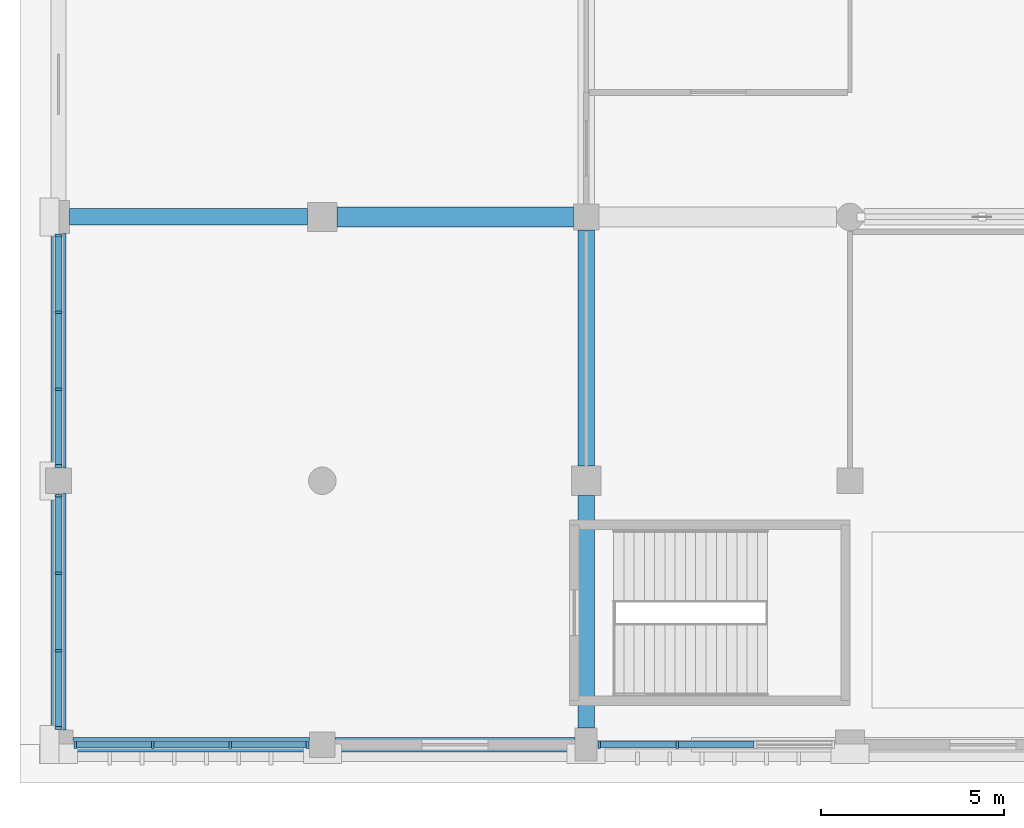
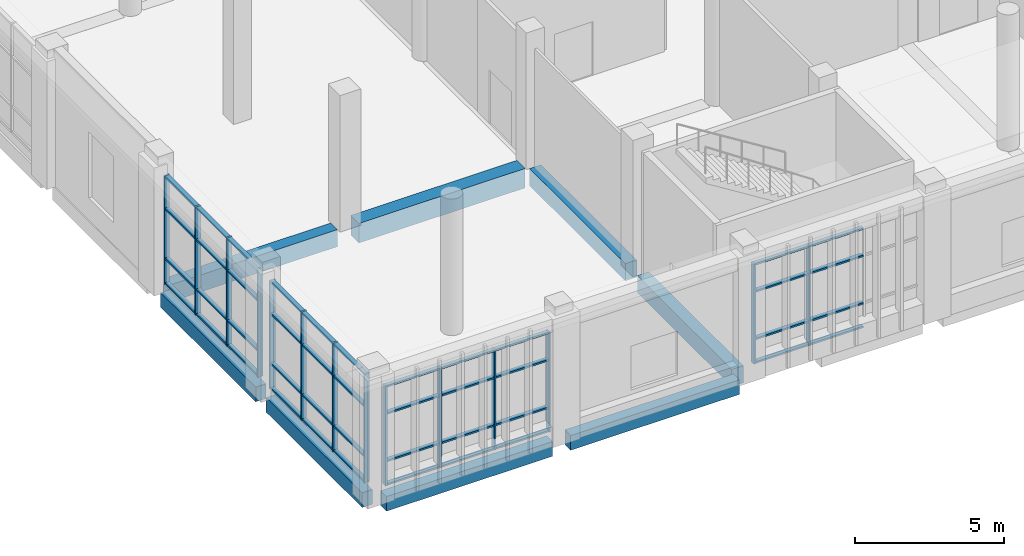
# One storey, part 8 of 80: 58 members, 8 beams, 4 elements without a shape of their own.
"""IFC4 building model written with IfcOpenShell, lengths in metres."""

from ifc_helpers import new_model, si_unit, direction, frame, origin, origin_2d, place, context, subcontext, project, spatial, rectangle, extrude, material, material_profile, profile_set, type_object, element, aggregate, save


model = new_model("IFC4")

# Units and contexts
model_context = context("Model", 3, precision=1e-05, world=origin(), true_north=direction((0.0, 1.0)))
body_context = subcontext(model_context, "Body", "Model", "MODEL_VIEW")
ifc_project = project(units=[si_unit("LENGTHUNIT", "METRE"), si_unit("AREAUNIT", "SQUARE_METRE"), si_unit("VOLUMEUNIT", "CUBIC_METRE"), si_unit("PLANEANGLEUNIT", "RADIAN"), si_unit("MASSUNIT", "GRAM", prefix="KILO")], contexts=[model_context])

# Site, building, storey
site_placement = place(None, origin())
site = spatial("IfcSite", under=ifc_project, at=site_placement, CompositionType="ELEMENT")
building_placement = place(site_placement, origin())
building = spatial("IfcBuilding", under=site, at=building_placement, Name="Sardonyx Promenade Sports Hall", CompositionType="ELEMENT")
storey_placement = place(building_placement, frame((0.0, 0.0, 5.60009765625)))
storey = spatial("IfcBuildingStorey", under=building, at=storey_placement, Name="L01", CompositionType="ELEMENT", Elevation=5.60009765625)

# Beams
ifc_material_1 = material(Name="Concrete C40/50", Category="concrete")
ifc_material_profile_1 = material_profile(ifc_material_1, rectangle(XDim=0.550048828125, YDim=0.800048828125, at=origin_2d()))
ifc_profile_set_1 = profile_set([ifc_material_profile_1], Name="Concrete C40/50")
beam_type_1 = type_object("IfcBeamType", Name="Bm_Girder_RC800", PredefinedType="BEAM", material=ifc_profile_set_1)
beam_1_placement = place(storey_placement, frame((7.60009765625, 14.39990234375, -0.400146484375), z_axis=(1.0, 0.0, 0.0), x_axis=(0.0, 1.0, 0.0)))
element("IfcBeam", 1, at=beam_1_placement, inside=storey, type_object=beam_type_1, Name="Beam BG04 L01 #186", PredefinedType="BEAM", context=body_context, shape_type="SweptSolid", body=[
    extrude(rectangle(XDim=0.550048828125, YDim=0.800048828125, at=origin_2d()), origin(), (0.0, 0.0, 1.0), 6.449951171875),
])
ifc_material_2 = material(Name="Concrete C40/50", Category="concrete")
ifc_material_profile_2 = material_profile(ifc_material_2, rectangle(XDim=0.449951171875, YDim=0.699951171875, at=origin_2d()))
ifc_profile_set_2 = profile_set([ifc_material_profile_2], Name="Concrete C40/50")
beam_type_2 = type_object("IfcBeamType", Name="Bm_Primary_RC700", PredefinedType="BEAM", material=ifc_profile_set_2)
beam_2_placement = place(storey_placement, frame((0.300048828125, 14.39990234375, -0.35009765625), z_axis=(1.0, 0.0, 0.0), x_axis=(0.0, 1.0, 0.0)))
element("IfcBeam", 2, at=beam_2_placement, inside=storey, type_object=beam_type_2, Name="Beam BG01 L01 #185", PredefinedType="BEAM", context=body_context, shape_type="SweptSolid", body=[
    extrude(rectangle(XDim=0.449951171875, YDim=0.699951171875, at=origin_2d()), origin(), (0.0, 0.0, 1.0), 6.5),
])
beam_3_placement = place(storey_placement, frame((14.39990234375, 0.449951171875, -0.35009765625), z_axis=(0.0, 1.0, 0.0), x_axis=(-1.0, 0.0, 0.0)))
element("IfcBeam", 3, at=beam_3_placement, inside=storey, type_object=beam_type_2, Name="Beam BG01 L01 #298", PredefinedType="BEAM", context=body_context, shape_type="SweptSolid", body=[
    extrude(rectangle(XDim=0.449951171875, YDim=0.699951171875, at=origin_2d()), origin(), (0.0, 0.0, 1.0), 6.35009765625),
])
beam_4_placement = place(storey_placement, frame((14.39990234375, 7.60009765625, -0.35009765625), z_axis=(0.0, 1.0, 0.0), x_axis=(-1.0, 0.0, 0.0)))
element("IfcBeam", 4, at=beam_4_placement, inside=storey, type_object=beam_type_2, Name="Beam BG01 L01 #299", PredefinedType="BEAM", context=body_context, shape_type="SweptSolid", body=[
    extrude(rectangle(XDim=0.449951171875, YDim=0.699951171875, at=origin_2d()), origin(), (0.0, 0.0, 1.0), 6.449951171875),
])
ifc_material_3 = material(Name="Concrete C40/50", Category="concrete")
ifc_material_profile_3 = material_profile(ifc_material_3, rectangle(XDim=0.39990234375, YDim=0.60009765625, at=origin_2d()))
ifc_profile_set_3 = profile_set([ifc_material_profile_3], Name="Concrete C40/50")
beam_type_3 = type_object("IfcBeamType", Name="Bm_Spandrel_RC600", PredefinedType="SPANDREL", material=ifc_profile_set_3)
beam_5_placement = place(storey_placement, frame((0.39990234375, 0.0, -0.300048828125), z_axis=(1.0, 0.0, 0.0), x_axis=(0.0, 1.0, 0.0)))
element("IfcBeam", 5, at=beam_5_placement, inside=storey, type_object=beam_type_3, Name="Beam SPB1 L01 #162", PredefinedType="SPANDREL", context=body_context, shape_type="SweptSolid", body=[
    extrude(rectangle(XDim=0.39990234375, YDim=0.60009765625, at=origin_2d()), origin(), (0.0, 0.0, 1.0), 6.4501953125),
])
beam_6_placement = place(storey_placement, frame((7.550048828125, 0.0, -0.300048828125), z_axis=(1.0, 0.0, 0.0), x_axis=(0.0, 1.0, 0.0)))
element("IfcBeam", 6, at=beam_6_placement, inside=storey, type_object=beam_type_3, Name="Beam SPB1 L01 #163", PredefinedType="SPANDREL", context=body_context, shape_type="SweptSolid", body=[
    extrude(rectangle(XDim=0.39990234375, YDim=0.60009765625, at=origin_2d()), origin(), (0.0, 0.0, 1.0), 6.550048828125),
])
beam_7_placement = place(storey_placement, frame((0.0, 0.39990234375, -0.300048828125), z_axis=(0.0, 1.0, 0.0), x_axis=(-1.0, 0.0, 0.0)))
element("IfcBeam", 7, at=beam_7_placement, inside=storey, type_object=beam_type_3, Name="Beam SPB1 L01 #291", PredefinedType="SPANDREL", context=body_context, shape_type="SweptSolid", body=[
    extrude(rectangle(XDim=0.39990234375, YDim=0.60009765625, at=origin_2d()), origin(), (0.0, 0.0, 1.0), 6.4501953125),
])
beam_8_placement = place(storey_placement, frame((0.0, 7.550048828125, -0.300048828125), z_axis=(0.0, 1.0, 0.0), x_axis=(-1.0, 0.0, 0.0)))
element("IfcBeam", 8, at=beam_8_placement, inside=storey, type_object=beam_type_3, Name="Beam SPB1 L01 #292", PredefinedType="SPANDREL", context=body_context, shape_type="SweptSolid", body=[
    extrude(rectangle(XDim=0.39990234375, YDim=0.60009765625, at=origin_2d()), origin(), (0.0, 0.0, 1.0), 6.39990234375),
])

# Curtain wall, members
ifc_material_4 = material(Name="Aluminium 6063-T6", Category="aluminium")
curtain_wall_type_1 = type_object("IfcCurtainWallType", Name="CW_South_L01_640", PredefinedType="USERDEFINED", material=ifc_material_4)
curtain_wall_1_placement = place(storey_placement, origin())
curtain_wall_1 = element("IfcCurtainWall", 9, at=curtain_wall_1_placement, inside=storey, type_object=curtain_wall_type_1, Name="Curtain wall CW08 cw:L01:027", ObjectType="CURTAIN WALL", PredefinedType="USERDEFINED")
ifc_material_5 = material(Name="Aluminium 6063-T6", Category="aluminium")
ifc_material_profile_4 = material_profile(ifc_material_5, rectangle(XDim=0.070068359375, YDim=0.199951171875, at=origin_2d()))
ifc_profile_set_4 = profile_set([ifc_material_profile_4], Name="Aluminium 6063-T6")
member_type_1 = type_object("IfcMemberType", Name="CW_Mull_200", PredefinedType="MULLION", material=ifc_profile_set_4)
member_1_placement = place(storey_placement, frame((16.885009765625, 0.0, 0.349853515625), z_axis=(0.0, 0.0, 1.0), x_axis=(-1.0, 0.0, 0.0)))
member_1 = element("IfcMember", 10, at=member_1_placement, type_object=member_type_1, Name="Mullion CM03 cw:L01:027 #3", PredefinedType="MULLION", context=body_context, shape_type="SweptSolid", body=[
    extrude(rectangle(XDim=0.070068359375, YDim=0.199951171875, at=origin_2d()), origin(), (0.0, 0.0, 1.0), 4.10009765625),
])
member_2_placement = place(storey_placement, frame((14.7548828125, 0.0, 0.349853515625), z_axis=(0.0, 0.0, 1.0), x_axis=(-1.0, 0.0, 0.0)))
member_2 = element("IfcMember", 11, at=member_2_placement, type_object=member_type_1, Name="Mullion CM03 cw:L01:027 #4", PredefinedType="MULLION", context=body_context, shape_type="SweptSolid", body=[
    extrude(rectangle(XDim=0.070068359375, YDim=0.199951171875, at=origin_2d()), origin(), (0.0, 0.0, 1.0), 4.10009765625),
])

curtain_wall_2_placement = place(storey_placement, origin())
curtain_wall_2 = element("IfcCurtainWall", 12, at=curtain_wall_2_placement, inside=storey, type_object=curtain_wall_type_1, Name="Curtain wall CW08 cw:L01:028", ObjectType="CURTAIN WALL", PredefinedType="USERDEFINED")
member_3_placement = place(storey_placement, frame((6.794921875, 0.0, 0.349853515625), z_axis=(0.0, 0.0, 1.0), x_axis=(-1.0, 0.0, 0.0)))
member_3 = element("IfcMember", 13, at=member_3_placement, type_object=member_type_1, Name="Mullion CM03 cw:L01:028 #1", PredefinedType="MULLION", context=body_context, shape_type="SweptSolid", body=[
    extrude(rectangle(XDim=0.070068359375, YDim=0.199951171875, at=origin_2d()), origin(), (0.0, 0.0, 1.0), 4.10009765625),
])
member_4_placement = place(storey_placement, frame((4.681640625, 0.0, 0.349853515625), z_axis=(0.0, 0.0, 1.0), x_axis=(-1.0, 0.0, 0.0)))
member_4 = element("IfcMember", 14, at=member_4_placement, type_object=member_type_1, Name="Mullion CM03 cw:L01:028 #2", PredefinedType="MULLION", context=body_context, shape_type="SweptSolid", body=[
    extrude(rectangle(XDim=0.070068359375, YDim=0.199951171875, at=origin_2d()), origin(), (0.0, 0.0, 1.0), 4.10009765625),
])
member_5_placement = place(storey_placement, frame((2.568359375, 0.0, 0.349853515625), z_axis=(0.0, 0.0, 1.0), x_axis=(-1.0, 0.0, 0.0)))
member_5 = element("IfcMember", 15, at=member_5_placement, type_object=member_type_1, Name="Mullion CM03 cw:L01:028 #3", PredefinedType="MULLION", context=body_context, shape_type="SweptSolid", body=[
    extrude(rectangle(XDim=0.070068359375, YDim=0.199951171875, at=origin_2d()), origin(), (0.0, 0.0, 1.0), 4.10009765625),
])
member_6_placement = place(storey_placement, frame((0.455078125, 0.0, 0.349853515625), z_axis=(0.0, 0.0, 1.0), x_axis=(-1.0, 0.0, 0.0)))
member_6 = element("IfcMember", 16, at=member_6_placement, type_object=member_type_1, Name="Mullion CM03 cw:L01:028 #4", PredefinedType="MULLION", context=body_context, shape_type="SweptSolid", body=[
    extrude(rectangle(XDim=0.070068359375, YDim=0.199951171875, at=origin_2d()), origin(), (0.0, 0.0, 1.0), 4.10009765625),
])

ifc_material_6 = material(Name="Aluminium 6063-T6", Category="aluminium")
curtain_wall_type_2 = type_object("IfcCurtainWallType", Name="CW_Climb_North_L01", PredefinedType="USERDEFINED", material=ifc_material_6)
curtain_wall_3_placement = place(storey_placement, origin())
curtain_wall_3 = element("IfcCurtainWall", 17, at=curtain_wall_3_placement, inside=storey, type_object=curtain_wall_type_2, Name="Curtain wall CW19 cw:L01:063", ObjectType="CURTAIN WALL", PredefinedType="USERDEFINED")
member_7_placement = place(storey_placement, frame((0.0, 0.455078125, 0.349853515625), z_axis=(0.0, 0.0, 1.0), x_axis=(0.0, 1.0, 0.0)))
member_7 = element("IfcMember", 18, at=member_7_placement, type_object=member_type_1, Name="Mullion CM03 cw:L01:063 #1", PredefinedType="MULLION", context=body_context, shape_type="SweptSolid", body=[
    extrude(rectangle(XDim=0.070068359375, YDim=0.199951171875, at=origin_2d()), origin(), (0.0, 0.0, 1.0), 4.449951171875),
])
member_8_placement = place(storey_placement, frame((0.0, 2.568359375, 0.349853515625), z_axis=(0.0, 0.0, 1.0), x_axis=(0.0, 1.0, 0.0)))
member_8 = element("IfcMember", 19, at=member_8_placement, type_object=member_type_1, Name="Mullion CM03 cw:L01:063 #2", PredefinedType="MULLION", context=body_context, shape_type="SweptSolid", body=[
    extrude(rectangle(XDim=0.070068359375, YDim=0.199951171875, at=origin_2d()), origin(), (0.0, 0.0, 1.0), 4.449951171875),
])
member_9_placement = place(storey_placement, frame((0.0, 4.681640625, 0.349853515625), z_axis=(0.0, 0.0, 1.0), x_axis=(0.0, 1.0, 0.0)))
member_9 = element("IfcMember", 20, at=member_9_placement, type_object=member_type_1, Name="Mullion CM03 cw:L01:063 #3", PredefinedType="MULLION", context=body_context, shape_type="SweptSolid", body=[
    extrude(rectangle(XDim=0.070068359375, YDim=0.199951171875, at=origin_2d()), origin(), (0.0, 0.0, 1.0), 4.449951171875),
])
member_10_placement = place(storey_placement, frame((0.0, 6.794921875, 0.349853515625), z_axis=(0.0, 0.0, 1.0), x_axis=(0.0, 1.0, 0.0)))
member_10 = element("IfcMember", 21, at=member_10_placement, type_object=member_type_1, Name="Mullion CM03 cw:L01:063 #4", PredefinedType="MULLION", context=body_context, shape_type="SweptSolid", body=[
    extrude(rectangle(XDim=0.070068359375, YDim=0.199951171875, at=origin_2d()), origin(), (0.0, 0.0, 1.0), 4.449951171875),
])

curtain_wall_4_placement = place(storey_placement, origin())
curtain_wall_4 = element("IfcCurtainWall", 22, at=curtain_wall_4_placement, inside=storey, type_object=curtain_wall_type_2, Name="Curtain wall CW19 cw:L01:064", ObjectType="CURTAIN WALL", PredefinedType="USERDEFINED")
member_11_placement = place(storey_placement, frame((0.0, 7.60498046875, 0.349853515625), z_axis=(0.0, 0.0, 1.0), x_axis=(0.0, 1.0, 0.0)))
member_11 = element("IfcMember", 23, at=member_11_placement, type_object=member_type_1, Name="Mullion CM03 cw:L01:064 #1", PredefinedType="MULLION", context=body_context, shape_type="SweptSolid", body=[
    extrude(rectangle(XDim=0.070068359375, YDim=0.199951171875, at=origin_2d()), origin(), (0.0, 0.0, 1.0), 4.449951171875),
])
member_12_placement = place(storey_placement, frame((0.0, 9.70166015625, 0.349853515625), z_axis=(0.0, 0.0, 1.0), x_axis=(0.0, 1.0, 0.0)))
member_12 = element("IfcMember", 24, at=member_12_placement, type_object=member_type_1, Name="Mullion CM03 cw:L01:064 #2", PredefinedType="MULLION", context=body_context, shape_type="SweptSolid", body=[
    extrude(rectangle(XDim=0.070068359375, YDim=0.199951171875, at=origin_2d()), origin(), (0.0, 0.0, 1.0), 4.449951171875),
])
member_13_placement = place(storey_placement, frame((0.0, 11.79833984375, 0.349853515625), z_axis=(0.0, 0.0, 1.0), x_axis=(0.0, 1.0, 0.0)))
member_13 = element("IfcMember", 25, at=member_13_placement, type_object=member_type_1, Name="Mullion CM03 cw:L01:064 #3", PredefinedType="MULLION", context=body_context, shape_type="SweptSolid", body=[
    extrude(rectangle(XDim=0.070068359375, YDim=0.199951171875, at=origin_2d()), origin(), (0.0, 0.0, 1.0), 4.449951171875),
])
member_14_placement = place(storey_placement, frame((0.0, 13.89501953125, 0.349853515625), z_axis=(0.0, 0.0, 1.0), x_axis=(0.0, 1.0, 0.0)))
member_14 = element("IfcMember", 26, at=member_14_placement, type_object=member_type_1, Name="Mullion CM03 cw:L01:064 #4", PredefinedType="MULLION", context=body_context, shape_type="SweptSolid", body=[
    extrude(rectangle(XDim=0.070068359375, YDim=0.199951171875, at=origin_2d()), origin(), (0.0, 0.0, 1.0), 4.449951171875),
])

# Member
ifc_material_7 = material(Name="Aluminium 6063-T6", Category="aluminium")
ifc_material_profile_5 = material_profile(ifc_material_7, rectangle(XDim=0.070068359375, YDim=0.159912109375, at=origin_2d()))
ifc_profile_set_5 = profile_set([ifc_material_profile_5], Name="Aluminium 6063-T6")
member_type_2 = type_object("IfcMemberType", Name="CW_Tran_160", PredefinedType="USERDEFINED", material=ifc_profile_set_5)
member_15_placement = place(storey_placement, frame((18.97998046875, 0.0, 0.385009765625), z_axis=(-1.0, 0.0, 0.0), x_axis=(0.0, 0.0, 1.0)))
member_15 = element("IfcMember", 27, at=member_15_placement, type_object=member_type_2, Name="Transom CT03 cw:L01:027 #5", ObjectType="TRANSOM", PredefinedType="USERDEFINED", context=body_context, shape_type="SweptSolid", body=[
    extrude(rectangle(XDim=0.070068359375, YDim=0.159912109375, at=origin_2d()), origin(), (0.0, 0.0, 1.0), 2.06005859375),
])

member_16_placement = place(storey_placement, frame((18.97998046875, 0.0, 1.349853515625), z_axis=(-1.0, 0.0, 0.0), x_axis=(0.0, 0.0, 1.0)))
member_16 = element("IfcMember", 28, at=member_16_placement, type_object=member_type_2, Name="Transom CT03 cw:L01:027 #6", ObjectType="TRANSOM", PredefinedType="USERDEFINED", context=body_context, shape_type="SweptSolid", body=[
    extrude(rectangle(XDim=0.070068359375, YDim=0.159912109375, at=origin_2d()), origin(), (0.0, 0.0, 1.0), 2.06005859375),
])

member_17_placement = place(storey_placement, frame((18.97998046875, 0.0, 3.2998046875), z_axis=(-1.0, 0.0, 0.0), x_axis=(0.0, 0.0, 1.0)))
member_17 = element("IfcMember", 29, at=member_17_placement, type_object=member_type_2, Name="Transom CT03 cw:L01:027 #7", ObjectType="TRANSOM", PredefinedType="USERDEFINED", context=body_context, shape_type="SweptSolid", body=[
    extrude(rectangle(XDim=0.070068359375, YDim=0.159912109375, at=origin_2d()), origin(), (0.0, 0.0, 1.0), 2.06005859375),
])

member_18_placement = place(storey_placement, frame((18.97998046875, 0.0, 4.414794921875), z_axis=(-1.0, 0.0, 0.0), x_axis=(0.0, 0.0, 1.0)))
member_18 = element("IfcMember", 30, at=member_18_placement, type_object=member_type_2, Name="Transom CT03 cw:L01:027 #8", ObjectType="TRANSOM", PredefinedType="USERDEFINED", context=body_context, shape_type="SweptSolid", body=[
    extrude(rectangle(XDim=0.070068359375, YDim=0.159912109375, at=origin_2d()), origin(), (0.0, 0.0, 1.0), 2.06005859375),
])

member_19_placement = place(storey_placement, frame((16.85009765625, 0.0, 0.385009765625), z_axis=(-1.0, 0.0, 0.0), x_axis=(0.0, 0.0, 1.0)))
member_19 = element("IfcMember", 31, at=member_19_placement, type_object=member_type_2, Name="Transom CT03 cw:L01:027 #9", ObjectType="TRANSOM", PredefinedType="USERDEFINED", context=body_context, shape_type="SweptSolid", body=[
    extrude(rectangle(XDim=0.070068359375, YDim=0.159912109375, at=origin_2d()), origin(), (0.0, 0.0, 1.0), 2.06005859375),
])

member_20_placement = place(storey_placement, frame((16.85009765625, 0.0, 1.349853515625), z_axis=(-1.0, 0.0, 0.0), x_axis=(0.0, 0.0, 1.0)))
member_20 = element("IfcMember", 32, at=member_20_placement, type_object=member_type_2, Name="Transom CT03 cw:L01:027 #10", ObjectType="TRANSOM", PredefinedType="USERDEFINED", context=body_context, shape_type="SweptSolid", body=[
    extrude(rectangle(XDim=0.070068359375, YDim=0.159912109375, at=origin_2d()), origin(), (0.0, 0.0, 1.0), 2.06005859375),
])

member_21_placement = place(storey_placement, frame((16.85009765625, 0.0, 3.2998046875), z_axis=(-1.0, 0.0, 0.0), x_axis=(0.0, 0.0, 1.0)))
member_21 = element("IfcMember", 33, at=member_21_placement, type_object=member_type_2, Name="Transom CT03 cw:L01:027 #11", ObjectType="TRANSOM", PredefinedType="USERDEFINED", context=body_context, shape_type="SweptSolid", body=[
    extrude(rectangle(XDim=0.070068359375, YDim=0.159912109375, at=origin_2d()), origin(), (0.0, 0.0, 1.0), 2.06005859375),
])

member_22_placement = place(storey_placement, frame((16.85009765625, 0.0, 4.414794921875), z_axis=(-1.0, 0.0, 0.0), x_axis=(0.0, 0.0, 1.0)))
member_22 = element("IfcMember", 34, at=member_22_placement, type_object=member_type_2, Name="Transom CT03 cw:L01:027 #12", ObjectType="TRANSOM", PredefinedType="USERDEFINED", context=body_context, shape_type="SweptSolid", body=[
    extrude(rectangle(XDim=0.070068359375, YDim=0.159912109375, at=origin_2d()), origin(), (0.0, 0.0, 1.0), 2.06005859375),
])

aggregate(curtain_wall_1, [member_1, member_2, member_15, member_16, member_17, member_18, member_19, member_20, member_21, member_22])

member_23_placement = place(storey_placement, frame((6.760009765625, 0.0, 0.385009765625), z_axis=(-1.0, 0.0, 0.0), x_axis=(0.0, 0.0, 1.0)))
member_23 = element("IfcMember", 35, at=member_23_placement, type_object=member_type_2, Name="Transom CT03 cw:L01:028 #1", ObjectType="TRANSOM", PredefinedType="USERDEFINED", context=body_context, shape_type="SweptSolid", body=[
    extrude(rectangle(XDim=0.070068359375, YDim=0.159912109375, at=origin_2d()), origin(), (0.0, 0.0, 1.0), 2.04345703125),
])

member_24_placement = place(storey_placement, frame((6.760009765625, 0.0, 1.349853515625), z_axis=(-1.0, 0.0, 0.0), x_axis=(0.0, 0.0, 1.0)))
member_24 = element("IfcMember", 36, at=member_24_placement, type_object=member_type_2, Name="Transom CT03 cw:L01:028 #2", ObjectType="TRANSOM", PredefinedType="USERDEFINED", context=body_context, shape_type="SweptSolid", body=[
    extrude(rectangle(XDim=0.070068359375, YDim=0.159912109375, at=origin_2d()), origin(), (0.0, 0.0, 1.0), 2.04345703125),
])

member_25_placement = place(storey_placement, frame((6.760009765625, 0.0, 3.2998046875), z_axis=(-1.0, 0.0, 0.0), x_axis=(0.0, 0.0, 1.0)))
member_25 = element("IfcMember", 37, at=member_25_placement, type_object=member_type_2, Name="Transom CT03 cw:L01:028 #3", ObjectType="TRANSOM", PredefinedType="USERDEFINED", context=body_context, shape_type="SweptSolid", body=[
    extrude(rectangle(XDim=0.070068359375, YDim=0.159912109375, at=origin_2d()), origin(), (0.0, 0.0, 1.0), 2.04345703125),
])

member_26_placement = place(storey_placement, frame((6.760009765625, 0.0, 4.414794921875), z_axis=(-1.0, 0.0, 0.0), x_axis=(0.0, 0.0, 1.0)))
member_26 = element("IfcMember", 38, at=member_26_placement, type_object=member_type_2, Name="Transom CT03 cw:L01:028 #4", ObjectType="TRANSOM", PredefinedType="USERDEFINED", context=body_context, shape_type="SweptSolid", body=[
    extrude(rectangle(XDim=0.070068359375, YDim=0.159912109375, at=origin_2d()), origin(), (0.0, 0.0, 1.0), 2.04345703125),
])

member_27_placement = place(storey_placement, frame((4.646728515625, 0.0, 0.385009765625), z_axis=(-1.0, 0.0, 0.0), x_axis=(0.0, 0.0, 1.0)))
member_27 = element("IfcMember", 39, at=member_27_placement, type_object=member_type_2, Name="Transom CT03 cw:L01:028 #5", ObjectType="TRANSOM", PredefinedType="USERDEFINED", context=body_context, shape_type="SweptSolid", body=[
    extrude(rectangle(XDim=0.070068359375, YDim=0.159912109375, at=origin_2d()), origin(), (0.0, 0.0, 1.0), 2.04345703125),
])

member_28_placement = place(storey_placement, frame((4.646728515625, 0.0, 1.349853515625), z_axis=(-1.0, 0.0, 0.0), x_axis=(0.0, 0.0, 1.0)))
member_28 = element("IfcMember", 40, at=member_28_placement, type_object=member_type_2, Name="Transom CT03 cw:L01:028 #6", ObjectType="TRANSOM", PredefinedType="USERDEFINED", context=body_context, shape_type="SweptSolid", body=[
    extrude(rectangle(XDim=0.070068359375, YDim=0.159912109375, at=origin_2d()), origin(), (0.0, 0.0, 1.0), 2.04345703125),
])

member_29_placement = place(storey_placement, frame((4.646728515625, 0.0, 3.2998046875), z_axis=(-1.0, 0.0, 0.0), x_axis=(0.0, 0.0, 1.0)))
member_29 = element("IfcMember", 41, at=member_29_placement, type_object=member_type_2, Name="Transom CT03 cw:L01:028 #7", ObjectType="TRANSOM", PredefinedType="USERDEFINED", context=body_context, shape_type="SweptSolid", body=[
    extrude(rectangle(XDim=0.070068359375, YDim=0.159912109375, at=origin_2d()), origin(), (0.0, 0.0, 1.0), 2.04345703125),
])

member_30_placement = place(storey_placement, frame((4.646728515625, 0.0, 4.414794921875), z_axis=(-1.0, 0.0, 0.0), x_axis=(0.0, 0.0, 1.0)))
member_30 = element("IfcMember", 42, at=member_30_placement, type_object=member_type_2, Name="Transom CT03 cw:L01:028 #8", ObjectType="TRANSOM", PredefinedType="USERDEFINED", context=body_context, shape_type="SweptSolid", body=[
    extrude(rectangle(XDim=0.070068359375, YDim=0.159912109375, at=origin_2d()), origin(), (0.0, 0.0, 1.0), 2.04345703125),
])

member_31_placement = place(storey_placement, frame((2.533447265625, 0.0, 0.385009765625), z_axis=(-1.0, 0.0, 0.0), x_axis=(0.0, 0.0, 1.0)))
member_31 = element("IfcMember", 43, at=member_31_placement, type_object=member_type_2, Name="Transom CT03 cw:L01:028 #9", ObjectType="TRANSOM", PredefinedType="USERDEFINED", context=body_context, shape_type="SweptSolid", body=[
    extrude(rectangle(XDim=0.070068359375, YDim=0.159912109375, at=origin_2d()), origin(), (0.0, 0.0, 1.0), 2.04345703125),
])

member_32_placement = place(storey_placement, frame((2.533447265625, 0.0, 1.349853515625), z_axis=(-1.0, 0.0, 0.0), x_axis=(0.0, 0.0, 1.0)))
member_32 = element("IfcMember", 44, at=member_32_placement, type_object=member_type_2, Name="Transom CT03 cw:L01:028 #10", ObjectType="TRANSOM", PredefinedType="USERDEFINED", context=body_context, shape_type="SweptSolid", body=[
    extrude(rectangle(XDim=0.070068359375, YDim=0.159912109375, at=origin_2d()), origin(), (0.0, 0.0, 1.0), 2.04345703125),
])

member_33_placement = place(storey_placement, frame((2.533447265625, 0.0, 3.2998046875), z_axis=(-1.0, 0.0, 0.0), x_axis=(0.0, 0.0, 1.0)))
member_33 = element("IfcMember", 45, at=member_33_placement, type_object=member_type_2, Name="Transom CT03 cw:L01:028 #11", ObjectType="TRANSOM", PredefinedType="USERDEFINED", context=body_context, shape_type="SweptSolid", body=[
    extrude(rectangle(XDim=0.070068359375, YDim=0.159912109375, at=origin_2d()), origin(), (0.0, 0.0, 1.0), 2.04345703125),
])

member_34_placement = place(storey_placement, frame((2.533447265625, 0.0, 4.414794921875), z_axis=(-1.0, 0.0, 0.0), x_axis=(0.0, 0.0, 1.0)))
member_34 = element("IfcMember", 46, at=member_34_placement, type_object=member_type_2, Name="Transom CT03 cw:L01:028 #12", ObjectType="TRANSOM", PredefinedType="USERDEFINED", context=body_context, shape_type="SweptSolid", body=[
    extrude(rectangle(XDim=0.070068359375, YDim=0.159912109375, at=origin_2d()), origin(), (0.0, 0.0, 1.0), 2.04345703125),
])

aggregate(curtain_wall_2, [member_3, member_4, member_5, member_6, member_23, member_24, member_25, member_26, member_27, member_28, member_29, member_30, member_31, member_32, member_33, member_34])

member_35_placement = place(storey_placement, frame((0.0, 0.489990234375, 0.385009765625), z_axis=(0.0, 1.0, 0.0), x_axis=(0.0, 0.0, 1.0)))
member_35 = element("IfcMember", 47, at=member_35_placement, type_object=member_type_2, Name="Transom CT03 cw:L01:063 #1", ObjectType="TRANSOM", PredefinedType="USERDEFINED", context=body_context, shape_type="SweptSolid", body=[
    extrude(rectangle(XDim=0.070068359375, YDim=0.159912109375, at=origin_2d()), origin(), (0.0, 0.0, 1.0), 2.04345703125),
])

member_36_placement = place(storey_placement, frame((0.0, 0.489990234375, 1.39990234375), z_axis=(0.0, 1.0, 0.0), x_axis=(0.0, 0.0, 1.0)))
member_36 = element("IfcMember", 48, at=member_36_placement, type_object=member_type_2, Name="Transom CT03 cw:L01:063 #2", ObjectType="TRANSOM", PredefinedType="USERDEFINED", context=body_context, shape_type="SweptSolid", body=[
    extrude(rectangle(XDim=0.070068359375, YDim=0.159912109375, at=origin_2d()), origin(), (0.0, 0.0, 1.0), 2.04345703125),
])

member_37_placement = place(storey_placement, frame((0.0, 0.489990234375, 3.449951171875), z_axis=(0.0, 1.0, 0.0), x_axis=(0.0, 0.0, 1.0)))
member_37 = element("IfcMember", 49, at=member_37_placement, type_object=member_type_2, Name="Transom CT03 cw:L01:063 #3", ObjectType="TRANSOM", PredefinedType="USERDEFINED", context=body_context, shape_type="SweptSolid", body=[
    extrude(rectangle(XDim=0.070068359375, YDim=0.159912109375, at=origin_2d()), origin(), (0.0, 0.0, 1.0), 2.04345703125),
])

member_38_placement = place(storey_placement, frame((0.0, 0.489990234375, 4.764892578125), z_axis=(0.0, 1.0, 0.0), x_axis=(0.0, 0.0, 1.0)))
member_38 = element("IfcMember", 50, at=member_38_placement, type_object=member_type_2, Name="Transom CT03 cw:L01:063 #4", ObjectType="TRANSOM", PredefinedType="USERDEFINED", context=body_context, shape_type="SweptSolid", body=[
    extrude(rectangle(XDim=0.070068359375, YDim=0.159912109375, at=origin_2d()), origin(), (0.0, 0.0, 1.0), 2.04345703125),
])

member_39_placement = place(storey_placement, frame((0.0, 2.603271484375, 0.385009765625), z_axis=(0.0, 1.0, 0.0), x_axis=(0.0, 0.0, 1.0)))
member_39 = element("IfcMember", 51, at=member_39_placement, type_object=member_type_2, Name="Transom CT03 cw:L01:063 #5", ObjectType="TRANSOM", PredefinedType="USERDEFINED", context=body_context, shape_type="SweptSolid", body=[
    extrude(rectangle(XDim=0.070068359375, YDim=0.159912109375, at=origin_2d()), origin(), (0.0, 0.0, 1.0), 2.04345703125),
])

member_40_placement = place(storey_placement, frame((0.0, 2.603271484375, 1.39990234375), z_axis=(0.0, 1.0, 0.0), x_axis=(0.0, 0.0, 1.0)))
member_40 = element("IfcMember", 52, at=member_40_placement, type_object=member_type_2, Name="Transom CT03 cw:L01:063 #6", ObjectType="TRANSOM", PredefinedType="USERDEFINED", context=body_context, shape_type="SweptSolid", body=[
    extrude(rectangle(XDim=0.070068359375, YDim=0.159912109375, at=origin_2d()), origin(), (0.0, 0.0, 1.0), 2.04345703125),
])

member_41_placement = place(storey_placement, frame((0.0, 2.603271484375, 3.449951171875), z_axis=(0.0, 1.0, 0.0), x_axis=(0.0, 0.0, 1.0)))
member_41 = element("IfcMember", 53, at=member_41_placement, type_object=member_type_2, Name="Transom CT03 cw:L01:063 #7", ObjectType="TRANSOM", PredefinedType="USERDEFINED", context=body_context, shape_type="SweptSolid", body=[
    extrude(rectangle(XDim=0.070068359375, YDim=0.159912109375, at=origin_2d()), origin(), (0.0, 0.0, 1.0), 2.04345703125),
])

member_42_placement = place(storey_placement, frame((0.0, 2.603271484375, 4.764892578125), z_axis=(0.0, 1.0, 0.0), x_axis=(0.0, 0.0, 1.0)))
member_42 = element("IfcMember", 54, at=member_42_placement, type_object=member_type_2, Name="Transom CT03 cw:L01:063 #8", ObjectType="TRANSOM", PredefinedType="USERDEFINED", context=body_context, shape_type="SweptSolid", body=[
    extrude(rectangle(XDim=0.070068359375, YDim=0.159912109375, at=origin_2d()), origin(), (0.0, 0.0, 1.0), 2.04345703125),
])

member_43_placement = place(storey_placement, frame((0.0, 4.716552734375, 0.385009765625), z_axis=(0.0, 1.0, 0.0), x_axis=(0.0, 0.0, 1.0)))
member_43 = element("IfcMember", 55, at=member_43_placement, type_object=member_type_2, Name="Transom CT03 cw:L01:063 #9", ObjectType="TRANSOM", PredefinedType="USERDEFINED", context=body_context, shape_type="SweptSolid", body=[
    extrude(rectangle(XDim=0.070068359375, YDim=0.159912109375, at=origin_2d()), origin(), (0.0, 0.0, 1.0), 2.04345703125),
])

member_44_placement = place(storey_placement, frame((0.0, 4.716552734375, 1.39990234375), z_axis=(0.0, 1.0, 0.0), x_axis=(0.0, 0.0, 1.0)))
member_44 = element("IfcMember", 56, at=member_44_placement, type_object=member_type_2, Name="Transom CT03 cw:L01:063 #10", ObjectType="TRANSOM", PredefinedType="USERDEFINED", context=body_context, shape_type="SweptSolid", body=[
    extrude(rectangle(XDim=0.070068359375, YDim=0.159912109375, at=origin_2d()), origin(), (0.0, 0.0, 1.0), 2.04345703125),
])

member_45_placement = place(storey_placement, frame((0.0, 4.716552734375, 3.449951171875), z_axis=(0.0, 1.0, 0.0), x_axis=(0.0, 0.0, 1.0)))
member_45 = element("IfcMember", 57, at=member_45_placement, type_object=member_type_2, Name="Transom CT03 cw:L01:063 #11", ObjectType="TRANSOM", PredefinedType="USERDEFINED", context=body_context, shape_type="SweptSolid", body=[
    extrude(rectangle(XDim=0.070068359375, YDim=0.159912109375, at=origin_2d()), origin(), (0.0, 0.0, 1.0), 2.04345703125),
])

member_46_placement = place(storey_placement, frame((0.0, 4.716552734375, 4.764892578125), z_axis=(0.0, 1.0, 0.0), x_axis=(0.0, 0.0, 1.0)))
member_46 = element("IfcMember", 58, at=member_46_placement, type_object=member_type_2, Name="Transom CT03 cw:L01:063 #12", ObjectType="TRANSOM", PredefinedType="USERDEFINED", context=body_context, shape_type="SweptSolid", body=[
    extrude(rectangle(XDim=0.070068359375, YDim=0.159912109375, at=origin_2d()), origin(), (0.0, 0.0, 1.0), 2.04345703125),
])

aggregate(curtain_wall_3, [member_7, member_8, member_9, member_10, member_35, member_36, member_37, member_38, member_39, member_40, member_41, member_42, member_43, member_44, member_45, member_46])

member_47_placement = place(storey_placement, frame((0.0, 7.639892578125, 0.385009765625), z_axis=(0.0, 1.0, 0.0), x_axis=(0.0, 0.0, 1.0)))
member_47 = element("IfcMember", 59, at=member_47_placement, type_object=member_type_2, Name="Transom CT03 cw:L01:064 #1", ObjectType="TRANSOM", PredefinedType="USERDEFINED", context=body_context, shape_type="SweptSolid", body=[
    extrude(rectangle(XDim=0.070068359375, YDim=0.159912109375, at=origin_2d()), origin(), (0.0, 0.0, 1.0), 2.02685546875),
])

member_48_placement = place(storey_placement, frame((0.0, 7.639892578125, 1.39990234375), z_axis=(0.0, 1.0, 0.0), x_axis=(0.0, 0.0, 1.0)))
member_48 = element("IfcMember", 60, at=member_48_placement, type_object=member_type_2, Name="Transom CT03 cw:L01:064 #2", ObjectType="TRANSOM", PredefinedType="USERDEFINED", context=body_context, shape_type="SweptSolid", body=[
    extrude(rectangle(XDim=0.070068359375, YDim=0.159912109375, at=origin_2d()), origin(), (0.0, 0.0, 1.0), 2.02685546875),
])

member_49_placement = place(storey_placement, frame((0.0, 7.639892578125, 3.449951171875), z_axis=(0.0, 1.0, 0.0), x_axis=(0.0, 0.0, 1.0)))
member_49 = element("IfcMember", 61, at=member_49_placement, type_object=member_type_2, Name="Transom CT03 cw:L01:064 #3", ObjectType="TRANSOM", PredefinedType="USERDEFINED", context=body_context, shape_type="SweptSolid", body=[
    extrude(rectangle(XDim=0.070068359375, YDim=0.159912109375, at=origin_2d()), origin(), (0.0, 0.0, 1.0), 2.02685546875),
])

member_50_placement = place(storey_placement, frame((0.0, 7.639892578125, 4.764892578125), z_axis=(0.0, 1.0, 0.0), x_axis=(0.0, 0.0, 1.0)))
member_50 = element("IfcMember", 62, at=member_50_placement, type_object=member_type_2, Name="Transom CT03 cw:L01:064 #4", ObjectType="TRANSOM", PredefinedType="USERDEFINED", context=body_context, shape_type="SweptSolid", body=[
    extrude(rectangle(XDim=0.070068359375, YDim=0.159912109375, at=origin_2d()), origin(), (0.0, 0.0, 1.0), 2.02685546875),
])

member_51_placement = place(storey_placement, frame((0.0, 9.736572265625, 0.385009765625), z_axis=(0.0, 1.0, 0.0), x_axis=(0.0, 0.0, 1.0)))
member_51 = element("IfcMember", 63, at=member_51_placement, type_object=member_type_2, Name="Transom CT03 cw:L01:064 #5", ObjectType="TRANSOM", PredefinedType="USERDEFINED", context=body_context, shape_type="SweptSolid", body=[
    extrude(rectangle(XDim=0.070068359375, YDim=0.159912109375, at=origin_2d()), origin(), (0.0, 0.0, 1.0), 2.02685546875),
])

member_52_placement = place(storey_placement, frame((0.0, 9.736572265625, 1.39990234375), z_axis=(0.0, 1.0, 0.0), x_axis=(0.0, 0.0, 1.0)))
member_52 = element("IfcMember", 64, at=member_52_placement, type_object=member_type_2, Name="Transom CT03 cw:L01:064 #6", ObjectType="TRANSOM", PredefinedType="USERDEFINED", context=body_context, shape_type="SweptSolid", body=[
    extrude(rectangle(XDim=0.070068359375, YDim=0.159912109375, at=origin_2d()), origin(), (0.0, 0.0, 1.0), 2.02685546875),
])

member_53_placement = place(storey_placement, frame((0.0, 9.736572265625, 3.449951171875), z_axis=(0.0, 1.0, 0.0), x_axis=(0.0, 0.0, 1.0)))
member_53 = element("IfcMember", 65, at=member_53_placement, type_object=member_type_2, Name="Transom CT03 cw:L01:064 #7", ObjectType="TRANSOM", PredefinedType="USERDEFINED", context=body_context, shape_type="SweptSolid", body=[
    extrude(rectangle(XDim=0.070068359375, YDim=0.159912109375, at=origin_2d()), origin(), (0.0, 0.0, 1.0), 2.02685546875),
])

member_54_placement = place(storey_placement, frame((0.0, 9.736572265625, 4.764892578125), z_axis=(0.0, 1.0, 0.0), x_axis=(0.0, 0.0, 1.0)))
member_54 = element("IfcMember", 66, at=member_54_placement, type_object=member_type_2, Name="Transom CT03 cw:L01:064 #8", ObjectType="TRANSOM", PredefinedType="USERDEFINED", context=body_context, shape_type="SweptSolid", body=[
    extrude(rectangle(XDim=0.070068359375, YDim=0.159912109375, at=origin_2d()), origin(), (0.0, 0.0, 1.0), 2.02685546875),
])

member_55_placement = place(storey_placement, frame((0.0, 11.833251953125, 0.385009765625), z_axis=(0.0, 1.0, 0.0), x_axis=(0.0, 0.0, 1.0)))
member_55 = element("IfcMember", 67, at=member_55_placement, type_object=member_type_2, Name="Transom CT03 cw:L01:064 #9", ObjectType="TRANSOM", PredefinedType="USERDEFINED", context=body_context, shape_type="SweptSolid", body=[
    extrude(rectangle(XDim=0.070068359375, YDim=0.159912109375, at=origin_2d()), origin(), (0.0, 0.0, 1.0), 2.02685546875),
])

member_56_placement = place(storey_placement, frame((0.0, 11.833251953125, 1.39990234375), z_axis=(0.0, 1.0, 0.0), x_axis=(0.0, 0.0, 1.0)))
member_56 = element("IfcMember", 68, at=member_56_placement, type_object=member_type_2, Name="Transom CT03 cw:L01:064 #10", ObjectType="TRANSOM", PredefinedType="USERDEFINED", context=body_context, shape_type="SweptSolid", body=[
    extrude(rectangle(XDim=0.070068359375, YDim=0.159912109375, at=origin_2d()), origin(), (0.0, 0.0, 1.0), 2.02685546875),
])

member_57_placement = place(storey_placement, frame((0.0, 11.833251953125, 3.449951171875), z_axis=(0.0, 1.0, 0.0), x_axis=(0.0, 0.0, 1.0)))
member_57 = element("IfcMember", 69, at=member_57_placement, type_object=member_type_2, Name="Transom CT03 cw:L01:064 #11", ObjectType="TRANSOM", PredefinedType="USERDEFINED", context=body_context, shape_type="SweptSolid", body=[
    extrude(rectangle(XDim=0.070068359375, YDim=0.159912109375, at=origin_2d()), origin(), (0.0, 0.0, 1.0), 2.02685546875),
])

member_58_placement = place(storey_placement, frame((0.0, 11.833251953125, 4.764892578125), z_axis=(0.0, 1.0, 0.0), x_axis=(0.0, 0.0, 1.0)))
member_58 = element("IfcMember", 70, at=member_58_placement, type_object=member_type_2, Name="Transom CT03 cw:L01:064 #12", ObjectType="TRANSOM", PredefinedType="USERDEFINED", context=body_context, shape_type="SweptSolid", body=[
    extrude(rectangle(XDim=0.070068359375, YDim=0.159912109375, at=origin_2d()), origin(), (0.0, 0.0, 1.0), 2.02685546875),
])

aggregate(curtain_wall_4, [member_11, member_12, member_13, member_14, member_47, member_48, member_49, member_50, member_51, member_52, member_53, member_54, member_55, member_56, member_57, member_58])

save(model, "model.ifc")
